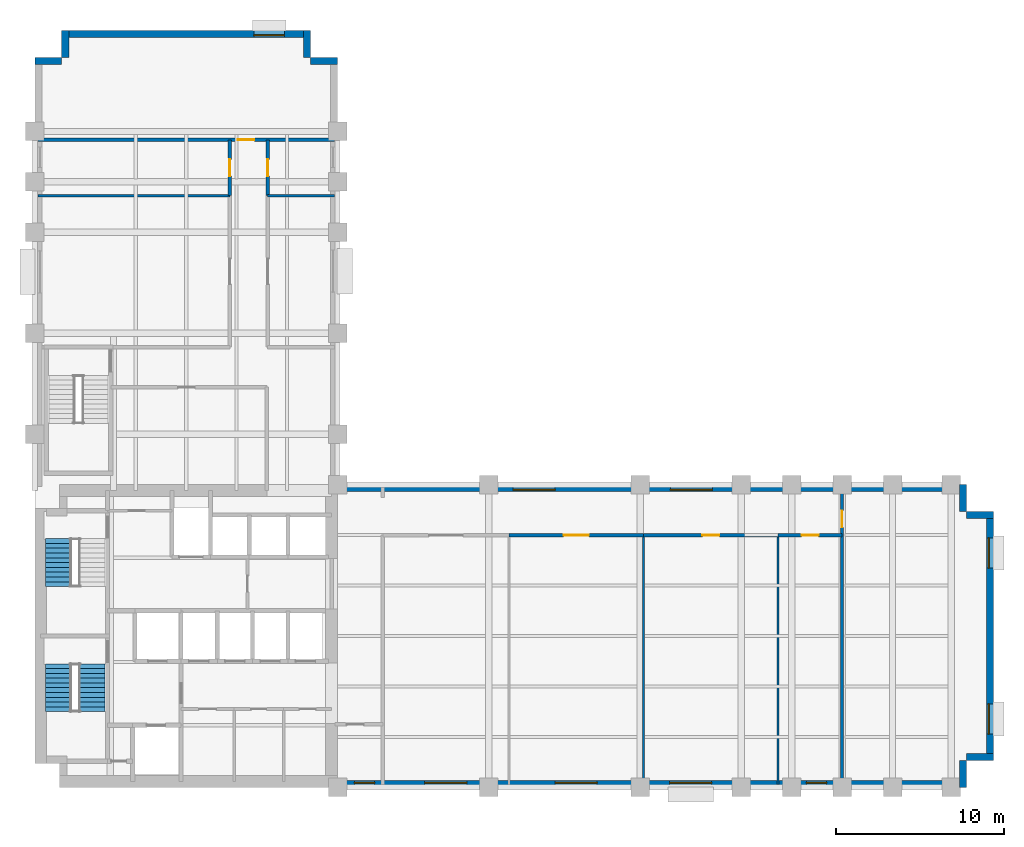
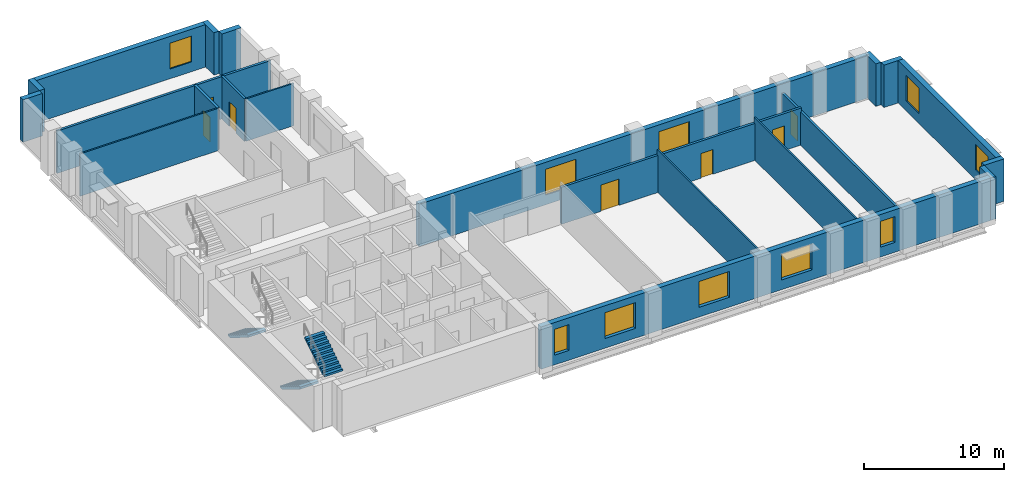
# One storey, part 5 of 8: 23 walls, 10 windows, 7 doors, 3 stair flights, 17 openings, 2 elements without a shape of their own.
"""IFC4 building model written with IfcOpenShell, lengths in metres."""

from ifc_helpers import new_model, si_unit, direction, frame, frame_2d, origin, place, context, subcontext, project, spatial, polyline, rectangle, outline, extrude, material, layer, layer_set, type_object, element, fill, aggregate, save


model = new_model("IFC4")

# Units and contexts
model_context = context("Model", 3, precision=1e-05, world=origin(), true_north=direction((0.0, 1.0)))
body_context = subcontext(model_context, "Body", "Model", "MODEL_VIEW")
ifc_project = project(units=[si_unit("LENGTHUNIT", "METRE"), si_unit("AREAUNIT", "SQUARE_METRE"), si_unit("VOLUMEUNIT", "CUBIC_METRE"), si_unit("PLANEANGLEUNIT", "RADIAN"), si_unit("MASSUNIT", "GRAM", prefix="KILO")], contexts=[model_context])

# Site, building, storey
site_placement = place(None, origin())
site = spatial("IfcSite", under=ifc_project, at=site_placement, CompositionType="ELEMENT")
building_placement = place(site_placement, origin())
building = spatial("IfcBuilding", under=site, at=building_placement, Name="Mawjdan Bourse Tower", CompositionType="ELEMENT")
storey_placement = place(building_placement, frame((0.0, 0.0, 97.199951171875)))
storey = spatial("IfcBuildingStorey", under=building, at=storey_placement, Name="L22", CompositionType="ELEMENT", Elevation=97.199951171875)

# Wall, openings, windows
ifc_material_1 = material(Name="Brick Masonry Buff", Category="masonry")
ifc_layer_1 = layer(ifc_material_1, 0.419921875)
ifc_layer_set_1 = layer_set([ifc_layer_1], Name="Brick Masonry Buff")
wall_type_1 = type_object("IfcWallType", Name="WL-BRK-BUFF-420", PredefinedType="STANDARD", material=ifc_layer_set_1)
wall_1_placement = place(storey_placement, frame((23.89990234375, 3.2099609375, 0.0), z_axis=(0.0, 0.0, 1.0), x_axis=(1.0, 0.0, 0.0)))
wall_1 = element("IfcWall", 1, at=wall_1_placement, inside=storey, type_object=wall_type_1, Name="L22 Exterior Brick Wall 1", PredefinedType="STANDARD", context=body_context, shape_type="SweptSolid", body=[
    extrude(rectangle(XDim=37.5, YDim=0.419921875, at=frame_2d((18.75, 0.0))), origin(), (0.0, 0.0, 1.0), 3.699951171875),
])
opening_1_placement = place(wall_1_placement, frame((19.84375, 0.0, 0.85009765625)))
opening_1 = element("IfcOpeningElement", 2, at=opening_1_placement, cuts=wall_1, Name="Opening W-L22-01", PredefinedType="OPENING", context=body_context, shape_type="SweptSolid", body=[
    extrude(rectangle(XDim=2.5, YDim=2.25, at=frame_2d((1.25, 1.125))), frame((0.0, 0.219970703125, 0.0), z_axis=(0.0, -1.0, 0.0), x_axis=(1.0, 0.0, 0.0)), (0.0, 0.0, 1.0), 0.43994140625),
])
opening_2_placement = place(wall_1_placement, frame((1.10009765625, 0.0, 0.85009765625)))
opening_2 = element("IfcOpeningElement", 3, at=opening_2_placement, cuts=wall_1, Name="Opening W-L22-09", PredefinedType="OPENING", context=body_context, shape_type="SweptSolid", body=[
    extrude(rectangle(XDim=1.199951171875, YDim=2.25, at=frame_2d((0.60009765625, 1.125))), frame((0.0, 0.219970703125, 0.0), z_axis=(0.0, -1.0, 0.0), x_axis=(1.0, 0.0, 0.0)), (0.0, 0.0, 1.0), 0.43994140625),
])
opening_3_placement = place(wall_1_placement, frame((5.2861328125, 0.0, 0.85009765625)))
opening_3 = element("IfcOpeningElement", 4, at=opening_3_placement, cuts=wall_1, Name="Opening W-L22-10", PredefinedType="OPENING", context=body_context, shape_type="SweptSolid", body=[
    extrude(rectangle(XDim=2.5, YDim=2.25, at=frame_2d((1.25, 1.125))), frame((0.0, 0.219970703125, 0.0), z_axis=(0.0, -1.0, 0.0), x_axis=(1.0, 0.0, 0.0)), (0.0, 0.0, 1.0), 0.43994140625),
])
opening_4_placement = place(wall_1_placement, frame((13.0361328125, 0.0, 0.85009765625)))
opening_4 = element("IfcOpeningElement", 5, at=opening_4_placement, cuts=wall_1, Name="Opening W-L22-11", PredefinedType="OPENING", context=body_context, shape_type="SweptSolid", body=[
    extrude(rectangle(XDim=2.5, YDim=2.25, at=frame_2d((1.25, 1.125))), frame((0.0, 0.219970703125, 0.0), z_axis=(0.0, -1.0, 0.0), x_axis=(1.0, 0.0, 0.0)), (0.0, 0.0, 1.0), 0.43994140625),
])
opening_5_placement = place(wall_1_placement, frame((27.986083984375, 0.0, 0.85009765625)))
opening_5 = element("IfcOpeningElement", 6, at=opening_5_placement, cuts=wall_1, Name="Opening W-L22-12", PredefinedType="OPENING", context=body_context, shape_type="SweptSolid", body=[
    extrude(rectangle(XDim=1.199951171875, YDim=2.25, at=frame_2d((0.60009765625, 1.125))), frame((0.0, 0.219970703125, 0.0), z_axis=(0.0, -1.0, 0.0), x_axis=(1.0, 0.0, 0.0)), (0.0, 0.0, 1.0), 0.43994140625),
])
ifc_material_2 = material(Name="Solar-Control Clear Double Glazing", Category="glass")
window_type_1 = type_object("IfcWindowType", Name="WN-Z2-1200", PartitioningType="SINGLE_PANEL", PredefinedType="WINDOW", material=ifc_material_2)
window_1_placement = place(opening_2_placement, origin())
window_1 = element("IfcWindow", 7, at=window_1_placement, inside=storey, type_object=window_type_1, Name="L22 Deep-Set Masonry Window W-L22-09", OverallHeight=2.25, OverallWidth=1.199951171875, PartitioningType="SINGLE_PANEL", PredefinedType="WINDOW", context=body_context, shape_type="SweptSolid", body=[
    extrude(rectangle(XDim=1.199951171875, YDim=2.25, at=frame_2d((0.60009765625, 1.125))), frame((0.0, 0.110107421875, 0.0), z_axis=(0.0, -1.0, 0.0), x_axis=(1.0, 0.0, 0.0)), (0.0, 0.0, 1.0), 0.06005859375),
])
fill(opening_2, window_1)
window_2_placement = place(opening_5_placement, origin())
window_2 = element("IfcWindow", 8, at=window_2_placement, inside=storey, type_object=window_type_1, Name="L22 Deep-Set Masonry Window W-L22-12", OverallHeight=2.25, OverallWidth=1.199951171875, PartitioningType="SINGLE_PANEL", PredefinedType="WINDOW", context=body_context, shape_type="SweptSolid", body=[
    extrude(rectangle(XDim=1.199951171875, YDim=2.25, at=frame_2d((0.60009765625, 1.125))), frame((0.0, 0.110107421875, 0.0), z_axis=(0.0, -1.0, 0.0), x_axis=(1.0, 0.0, 0.0)), (0.0, 0.0, 1.0), 0.06005859375),
])
fill(opening_5, window_2)
window_type_2 = type_object("IfcWindowType", Name="WN-Z2-2500", PartitioningType="SINGLE_PANEL", PredefinedType="WINDOW", material=ifc_material_2)
window_3_placement = place(opening_1_placement, origin())
window_3 = element("IfcWindow", 9, at=window_3_placement, inside=storey, type_object=window_type_2, Name="L22 Deep-Set Masonry Window W-L22-01", OverallHeight=2.25, OverallWidth=2.5, PartitioningType="SINGLE_PANEL", PredefinedType="WINDOW", context=body_context, shape_type="SweptSolid", body=[
    extrude(rectangle(XDim=2.5, YDim=2.25, at=frame_2d((1.25, 1.125))), frame((0.0, 0.110107421875, 0.0), z_axis=(0.0, -1.0, 0.0), x_axis=(1.0, 0.0, 0.0)), (0.0, 0.0, 1.0), 0.06005859375),
])
fill(opening_1, window_3)
window_4_placement = place(opening_3_placement, origin())
window_4 = element("IfcWindow", 10, at=window_4_placement, inside=storey, type_object=window_type_2, Name="L22 Deep-Set Masonry Window W-L22-10", OverallHeight=2.25, OverallWidth=2.5, PartitioningType="SINGLE_PANEL", PredefinedType="WINDOW", context=body_context, shape_type="SweptSolid", body=[
    extrude(rectangle(XDim=2.5, YDim=2.25, at=frame_2d((1.25, 1.125))), frame((0.0, 0.110107421875, 0.0), z_axis=(0.0, -1.0, 0.0), x_axis=(1.0, 0.0, 0.0)), (0.0, 0.0, 1.0), 0.06005859375),
])
fill(opening_3, window_4)
window_5_placement = place(opening_4_placement, origin())
window_5 = element("IfcWindow", 11, at=window_5_placement, inside=storey, type_object=window_type_2, Name="L22 Deep-Set Masonry Window W-L22-11", OverallHeight=2.25, OverallWidth=2.5, PartitioningType="SINGLE_PANEL", PredefinedType="WINDOW", context=body_context, shape_type="SweptSolid", body=[
    extrude(rectangle(XDim=2.5, YDim=2.25, at=frame_2d((1.25, 1.125))), frame((0.0, 0.110107421875, 0.0), z_axis=(0.0, -1.0, 0.0), x_axis=(1.0, 0.0, 0.0)), (0.0, 0.0, 1.0), 0.06005859375),
])
fill(opening_4, window_5)

# Walls
for number, where, z_axis, x_axis, name in (
    (12, (61.18994140625, 3.0, 0.0), (0.0, 0.0, 1.0), (0.0, 1.0, 0.0), "L22 Exterior Brick Wall 2"),
    (13, (61.39990234375, 4.81005859375, 0.0), (0.0, 0.0, 1.0), (1.0, 0.0, 0.0), "L22 Exterior Brick Wall 3"),
):
    element("IfcWall", number, at=place(storey_placement, frame(where, z_axis=z_axis, x_axis=x_axis)), inside=storey, type_object=wall_type_1, Name=name, PredefinedType="STANDARD", context=body_context, shape_type="SweptSolid", body=[
        extrude(rectangle(XDim=1.60009765625, YDim=0.419921875, at=frame_2d((0.800048828125, 0.0))), origin(), (0.0, 0.0, 1.0), 3.699951171875),
    ])

# Wall, openings, windows
wall_2_placement = place(storey_placement, frame((62.7900390625, 4.60009765625, 0.0), z_axis=(0.0, 0.0, 1.0), x_axis=(0.0, 1.0, 0.0)))
wall_2 = element("IfcWall", 14, at=wall_2_placement, inside=storey, type_object=wall_type_1, Name="L22 Exterior Brick Wall 4", PredefinedType="STANDARD", context=body_context, shape_type="SweptSolid", body=[
    extrude(rectangle(XDim=14.7998046875, YDim=0.419921875, at=frame_2d((7.39990234375, 0.0))), origin(), (0.0, 0.0, 1.0), 3.699951171875),
])
opening_6_placement = place(wall_2_placement, frame((1.566650390625, 0.0, 0.85009765625)))
opening_6 = element("IfcOpeningElement", 15, at=opening_6_placement, cuts=wall_2, Name="Opening W-L22-02", PredefinedType="OPENING", context=body_context, shape_type="SweptSolid", body=[
    extrude(rectangle(XDim=1.800048828125, YDim=2.25, at=frame_2d((0.89990234375, 1.125))), frame((0.0, 0.219970703125, 0.0), z_axis=(0.0, -1.0, 0.0), x_axis=(1.0, 0.0, 0.0)), (0.0, 0.0, 1.0), 0.43994140625),
])
opening_7_placement = place(wall_2_placement, frame((11.433349609375, 0.0, 0.85009765625)))
opening_7 = element("IfcOpeningElement", 16, at=opening_7_placement, cuts=wall_2, Name="Opening W-L22-03", PredefinedType="OPENING", context=body_context, shape_type="SweptSolid", body=[
    extrude(rectangle(XDim=1.800048828125, YDim=2.25, at=frame_2d((0.89990234375, 1.125))), frame((0.0, 0.219970703125, 0.0), z_axis=(0.0, -1.0, 0.0), x_axis=(1.0, 0.0, 0.0)), (0.0, 0.0, 1.0), 0.43994140625),
])
window_type_3 = type_object("IfcWindowType", Name="WN-Z2-1800", PartitioningType="SINGLE_PANEL", PredefinedType="WINDOW", material=ifc_material_2)
window_6_placement = place(opening_6_placement, origin())
window_6 = element("IfcWindow", 17, at=window_6_placement, inside=storey, type_object=window_type_3, Name="L22 Deep-Set Masonry Window W-L22-02", OverallHeight=2.25, OverallWidth=1.800048828125, PartitioningType="SINGLE_PANEL", PredefinedType="WINDOW", context=body_context, shape_type="SweptSolid", body=[
    extrude(rectangle(XDim=1.800048828125, YDim=2.25, at=frame_2d((0.89990234375, 1.125))), frame((0.0, 0.110107421875, 0.0), z_axis=(0.0, -1.0, 0.0), x_axis=(1.0, 0.0, 0.0)), (0.0, 0.0, 1.0), 0.06005859375),
])
fill(opening_6, window_6)
window_7_placement = place(opening_7_placement, origin())
window_7 = element("IfcWindow", 18, at=window_7_placement, inside=storey, type_object=window_type_3, Name="L22 Deep-Set Masonry Window W-L22-03", OverallHeight=2.25, OverallWidth=1.800048828125, PartitioningType="SINGLE_PANEL", PredefinedType="WINDOW", context=body_context, shape_type="SweptSolid", body=[
    extrude(rectangle(XDim=1.800048828125, YDim=2.25, at=frame_2d((0.89990234375, 1.125))), frame((0.0, 0.110107421875, 0.0), z_axis=(0.0, -1.0, 0.0), x_axis=(1.0, 0.0, 0.0)), (0.0, 0.0, 1.0), 0.06005859375),
])
fill(opening_7, window_7)

# Walls
for number, where, z_axis, x_axis, name in (
    (19, (63.0, 19.18994140625, 0.0), (0.0, 0.0, 1.0), (-1.0, 0.0, 0.0), "L22 Exterior Brick Wall 5"),
    (20, (61.18994140625, 19.39990234375, 0.0), (0.0, 0.0, 1.0), (0.0, 1.0, 0.0), "L22 Exterior Brick Wall 6"),
):
    element("IfcWall", number, at=place(storey_placement, frame(where, z_axis=z_axis, x_axis=x_axis)), inside=storey, type_object=wall_type_1, Name=name, PredefinedType="STANDARD", context=body_context, shape_type="SweptSolid", body=[
        extrude(rectangle(XDim=1.60009765625, YDim=0.419921875, at=frame_2d((0.800048828125, 0.0))), origin(), (0.0, 0.0, 1.0), 3.699951171875),
    ])

# Wall, openings, windows
wall_3_placement = place(storey_placement, frame((61.39990234375, 20.7900390625, 0.0), z_axis=(0.0, 0.0, 1.0), x_axis=(-1.0, 0.0, 0.0)))
wall_3 = element("IfcWall", 21, at=wall_3_placement, inside=storey, type_object=wall_type_1, Name="L22 Exterior Brick Wall 7", PredefinedType="STANDARD", context=body_context, shape_type="SweptSolid", body=[
    extrude(rectangle(XDim=37.39990234375, YDim=0.419921875, at=frame_2d((18.699951171875, 0.0))), origin(), (0.0, 0.0, 1.0), 3.699951171875),
])
opening_8_placement = place(wall_3_placement, frame((15.112548828125, 0.0, 0.85009765625)))
opening_8 = element("IfcOpeningElement", 22, at=opening_8_placement, cuts=wall_3, Name="Opening W-L22-04", PredefinedType="OPENING", context=body_context, shape_type="SweptSolid", body=[
    extrude(rectangle(XDim=2.5, YDim=2.25, at=frame_2d((1.25, 1.125))), frame((0.0, 0.219970703125, 0.0), z_axis=(0.0, -1.0, 0.0), x_axis=(1.0, 0.0, 0.0)), (0.0, 0.0, 1.0), 0.43994140625),
])
opening_9_placement = place(wall_3_placement, frame((24.46240234375, 0.0, 0.85009765625)))
opening_9 = element("IfcOpeningElement", 23, at=opening_9_placement, cuts=wall_3, Name="Opening W-L22-05", PredefinedType="OPENING", context=body_context, shape_type="SweptSolid", body=[
    extrude(rectangle(XDim=2.5, YDim=2.25, at=frame_2d((1.25, 1.125))), frame((0.0, 0.219970703125, 0.0), z_axis=(0.0, -1.0, 0.0), x_axis=(1.0, 0.0, 0.0)), (0.0, 0.0, 1.0), 0.43994140625),
])
window_8_placement = place(opening_8_placement, origin())
window_8 = element("IfcWindow", 24, at=window_8_placement, inside=storey, type_object=window_type_2, Name="L22 Deep-Set Masonry Window W-L22-04", OverallHeight=2.25, OverallWidth=2.5, PartitioningType="SINGLE_PANEL", PredefinedType="WINDOW", context=body_context, shape_type="SweptSolid", body=[
    extrude(rectangle(XDim=2.5, YDim=2.25, at=frame_2d((1.25, 1.125))), frame((0.0, 0.110107421875, 0.0), z_axis=(0.0, -1.0, 0.0), x_axis=(1.0, 0.0, 0.0)), (0.0, 0.0, 1.0), 0.06005859375),
])
fill(opening_8, window_8)
window_9_placement = place(opening_9_placement, origin())
window_9 = element("IfcWindow", 25, at=window_9_placement, inside=storey, type_object=window_type_2, Name="L22 Deep-Set Masonry Window W-L22-05", OverallHeight=2.25, OverallWidth=2.5, PartitioningType="SINGLE_PANEL", PredefinedType="WINDOW", context=body_context, shape_type="SweptSolid", body=[
    extrude(rectangle(XDim=2.5, YDim=2.25, at=frame_2d((1.25, 1.125))), frame((0.0, 0.110107421875, 0.0), z_axis=(0.0, -1.0, 0.0), x_axis=(1.0, 0.0, 0.0)), (0.0, 0.0, 1.0), 0.06005859375),
])
fill(opening_9, window_9)

# Walls
for number, where, z_axis, x_axis, name in (
    (26, (24.0, 46.18994140625, 0.0), (0.0, 0.0, 1.0), (-1.0, 0.0, 0.0), "L22 Exterior Brick Wall 9"),
    (27, (22.18994140625, 46.39990234375, 0.0), (0.0, 0.0, 1.0), (0.0, 1.0, 0.0), "L22 Exterior Brick Wall 10"),
):
    element("IfcWall", number, at=place(storey_placement, frame(where, z_axis=z_axis, x_axis=x_axis)), inside=storey, type_object=wall_type_1, Name=name, PredefinedType="STANDARD", context=body_context, shape_type="SweptSolid", body=[
        extrude(rectangle(XDim=1.60009765625, YDim=0.419921875, at=frame_2d((0.800048828125, 0.0))), origin(), (0.0, 0.0, 1.0), 3.699951171875),
    ])

# Wall, opening, window
wall_4_placement = place(storey_placement, frame((22.39990234375, 47.7900390625, 0.0), z_axis=(0.0, 0.0, 1.0), x_axis=(-1.0, 0.0, 0.0)))
wall_4 = element("IfcWall", 28, at=wall_4_placement, inside=storey, type_object=wall_type_1, Name="L22 Exterior Brick Wall 11", PredefinedType="STANDARD", context=body_context, shape_type="SweptSolid", body=[
    extrude(rectangle(XDim=14.7998046875, YDim=0.419921875, at=frame_2d((7.39990234375, 0.0))), origin(), (0.0, 0.0, 1.0), 3.699951171875),
])
opening_10_placement = place(wall_4_placement, frame((1.566650390625, 0.0, 0.85009765625)))
opening_10 = element("IfcOpeningElement", 29, at=opening_10_placement, cuts=wall_4, Name="Opening W-L22-07", PredefinedType="OPENING", context=body_context, shape_type="SweptSolid", body=[
    extrude(rectangle(XDim=1.800048828125, YDim=2.25, at=frame_2d((0.89990234375, 1.125))), frame((0.0, 0.219970703125, 0.0), z_axis=(0.0, -1.0, 0.0), x_axis=(1.0, 0.0, 0.0)), (0.0, 0.0, 1.0), 0.43994140625),
])
window_10_placement = place(opening_10_placement, origin())
window_10 = element("IfcWindow", 30, at=window_10_placement, inside=storey, type_object=window_type_3, Name="L22 Deep-Set Masonry Window W-L22-07", OverallHeight=2.25, OverallWidth=1.800048828125, PartitioningType="SINGLE_PANEL", PredefinedType="WINDOW", context=body_context, shape_type="SweptSolid", body=[
    extrude(rectangle(XDim=1.800048828125, YDim=2.25, at=frame_2d((0.89990234375, 1.125))), frame((0.0, 0.110107421875, 0.0), z_axis=(0.0, -1.0, 0.0), x_axis=(1.0, 0.0, 0.0)), (0.0, 0.0, 1.0), 0.06005859375),
])
fill(opening_10, window_10)

# Walls
for number, where, z_axis, x_axis, name in (
    (31, (7.81005859375, 48.0, 0.0), (0.0, 0.0, 1.0), (0.0, -1.0, 0.0), "L22 Exterior Brick Wall 12"),
    (32, (7.60009765625, 46.18994140625, 0.0), (0.0, 0.0, 1.0), (-1.0, 0.0, 0.0), "L22 Exterior Brick Wall 13"),
):
    element("IfcWall", number, at=place(storey_placement, frame(where, z_axis=z_axis, x_axis=x_axis)), inside=storey, type_object=wall_type_1, Name=name, PredefinedType="STANDARD", context=body_context, shape_type="SweptSolid", body=[
        extrude(rectangle(XDim=1.60009765625, YDim=0.419921875, at=frame_2d((0.800048828125, 0.0))), origin(), (0.0, 0.0, 1.0), 3.699951171875),
    ])

# Wall, opening, door
ifc_material_3 = material(Name="Gypsum Fireboard Assembly")
ifc_layer_2 = layer(ifc_material_3, 0.199951171875)
ifc_layer_set_2 = layer_set([ifc_layer_2], Name="Gypsum Fireboard Assembly")
wall_type_2 = type_object("IfcWallType", Name="WL-CMP-200", PredefinedType="PARTITIONING", material=ifc_layer_set_2)
wall_5_placement = place(storey_placement, frame((34.199951171875, 18.0, 0.0), z_axis=(0.0, 0.0, 1.0), x_axis=(1.0, 0.0, 0.0)))
wall_5 = element("IfcWall", 33, at=wall_5_placement, inside=storey, type_object=wall_type_2, Name="L22 Conference Room Corridor Wall", PredefinedType="PARTITIONING", context=body_context, shape_type="SweptSolid", body=[
    extrude(rectangle(XDim=8.0, YDim=0.199951171875, at=frame_2d((4.0, 0.0))), origin(), (0.0, 0.0, 1.0), 3.22705078125),
])
opening_11_placement = place(wall_5_placement, frame((3.25, 0.0, 0.0)))
opening_11 = element("IfcOpeningElement", 34, at=opening_11_placement, cuts=wall_5, Name="Opening D-L22-22", PredefinedType="OPENING", context=body_context, shape_type="SweptSolid", body=[
    extrude(rectangle(XDim=1.5, YDim=2.300048828125, at=frame_2d((0.75, 1.14990234375))), frame((0.0, 0.10986328125, 0.0), z_axis=(0.0, -1.0, 0.0), x_axis=(1.0, 0.0, 0.0)), (0.0, 0.0, 1.0), 0.219970703125),
])
ifc_material_4 = material(Name="Acoustic Glazed Timber", Category="wood")
door_type_1 = type_object("IfcDoorType", Name="DR-CNF-1500", OperationType="DOUBLE_DOOR_SINGLE_SWING", PredefinedType="DOOR", material=ifc_material_4)
door_1_placement = place(opening_11_placement, origin())
door_1 = element("IfcDoor", 35, at=door_1_placement, inside=storey, type_object=door_type_1, Name="L22 Conference Room Door D-L22-22", OperationType="DOUBLE_DOOR_SINGLE_SWING", OverallHeight=2.300048828125, OverallWidth=1.5, PredefinedType="DOOR", context=body_context, shape_type="SweptSolid", body=[
    extrude(rectangle(XDim=1.5, YDim=2.300048828125, at=frame_2d((0.75, 1.14990234375))), frame((0.0, 0.02490234375, 0.0), z_axis=(0.0, -1.0, 0.0), x_axis=(1.0, 0.0, 0.0)), (0.0, 0.0, 1.0), 0.050048828125),
])
fill(opening_11, door_1)

wall_6_placement = place(storey_placement, frame((42.199951171875, 18.0, 0.0), z_axis=(0.0, 0.0, 1.0), x_axis=(1.0, 0.0, 0.0)))
wall_6 = element("IfcWall", 36, at=wall_6_placement, inside=storey, type_object=wall_type_2, Name="L22 Executive Office Corridor Wall", PredefinedType="PARTITIONING", context=body_context, shape_type="SweptSolid", body=[
    extrude(rectangle(XDim=8.0, YDim=0.199951171875, at=frame_2d((4.0, 0.0))), origin(), (0.0, 0.0, 1.0), 3.22705078125),
])
opening_12_placement = place(wall_6_placement, frame((3.5, 0.0, 0.0)))
opening_12 = element("IfcOpeningElement", 37, at=opening_12_placement, cuts=wall_6, Name="Opening D-L22-23", PredefinedType="OPENING", context=body_context, shape_type="SweptSolid", body=[
    extrude(rectangle(XDim=1.0, YDim=2.14990234375, at=frame_2d((0.5, 1.074951171875))), frame((0.0, 0.10986328125, 0.0), z_axis=(0.0, -1.0, 0.0), x_axis=(1.0, 0.0, 0.0)), (0.0, 0.0, 1.0), 0.219970703125),
])
ifc_material_5 = material(Name="Hardwood Acoustic Leaf", Category="wood")
door_type_2 = type_object("IfcDoorType", Name="DR-OFC-1000", OperationType="NOTDEFINED", PredefinedType="DOOR", material=ifc_material_5)
door_2_placement = place(opening_12_placement, origin())
door_2 = element("IfcDoor", 38, at=door_2_placement, inside=storey, type_object=door_type_2, Name="L22 Executive Office Door D-L22-23", OperationType="SINGLE_SWING_RIGHT", OverallHeight=2.14990234375, OverallWidth=1.0, PredefinedType="DOOR", context=body_context, shape_type="SweptSolid", body=[
    extrude(rectangle(XDim=1.0, YDim=2.14990234375, at=frame_2d((0.5, 1.074951171875))), frame((0.0, 0.02490234375, 0.0), z_axis=(0.0, -1.0, 0.0), x_axis=(1.0, 0.0, 0.0)), (0.0, 0.0, 1.0), 0.050048828125),
])
fill(opening_12, door_2)

wall_7_placement = place(storey_placement, frame((50.199951171875, 18.0, 0.0), z_axis=(0.0, 0.0, 1.0), x_axis=(1.0, 0.0, 0.0)))
wall_7 = element("IfcWall", 39, at=wall_7_placement, inside=storey, type_object=wall_type_2, Name="L22 Private Banking Suite Corridor Wall", PredefinedType="PARTITIONING", context=body_context, shape_type="SweptSolid", body=[
    extrude(rectangle(XDim=3.800048828125, YDim=0.199951171875, at=frame_2d((1.89990234375, 0.0))), origin(), (0.0, 0.0, 1.0), 3.22705078125),
])
opening_13_placement = place(wall_7_placement, frame((1.39990234375, 0.0, 0.0)))
opening_13 = element("IfcOpeningElement", 40, at=opening_13_placement, cuts=wall_7, Name="Opening D-L22-24", PredefinedType="OPENING", context=body_context, shape_type="SweptSolid", body=[
    extrude(rectangle(XDim=1.0, YDim=2.14990234375, at=frame_2d((0.5, 1.074951171875))), frame((0.0, 0.10986328125, 0.0), z_axis=(0.0, -1.0, 0.0), x_axis=(1.0, 0.0, 0.0)), (0.0, 0.0, 1.0), 0.219970703125),
])
door_3_placement = place(opening_13_placement, origin())
door_3 = element("IfcDoor", 41, at=door_3_placement, inside=storey, type_object=door_type_2, Name="L22 Private Banking Suite Door D-L22-24", OperationType="SINGLE_SWING_LEFT", OverallHeight=2.14990234375, OverallWidth=1.0, PredefinedType="DOOR", context=body_context, shape_type="SweptSolid", body=[
    extrude(rectangle(XDim=1.0, YDim=2.14990234375, at=frame_2d((0.5, 1.074951171875))), frame((0.0, 0.02490234375, 0.0), z_axis=(0.0, -1.0, 0.0), x_axis=(1.0, 0.0, 0.0)), (0.0, 0.0, 1.0), 0.050048828125),
])
fill(opening_13, door_3)

wall_8_placement = place(storey_placement, frame((54.0, 3.179931640625, 0.0), z_axis=(0.0, 0.0, 1.0), x_axis=(0.0, 1.0, 0.0)))
wall_8 = element("IfcWall", 42, at=wall_8_placement, inside=storey, type_object=wall_type_2, Name="L22 East Tip Full Cross Wall", PredefinedType="PARTITIONING", context=body_context, shape_type="SweptSolid", body=[
    extrude(rectangle(XDim=17.64013671875, YDim=0.199951171875, at=frame_2d((8.820068359375, 0.0))), origin(), (0.0, 0.0, 1.0), 2.9169921875),
])
opening_14_placement = place(wall_8_placement, frame((15.27490234375, 0.0, 0.0)))
opening_14 = element("IfcOpeningElement", 43, at=opening_14_placement, cuts=wall_8, Name="Opening D-L22-25", PredefinedType="OPENING", context=body_context, shape_type="SweptSolid", body=[
    extrude(rectangle(XDim=1.0, YDim=2.14990234375, at=frame_2d((0.5, 1.074951171875))), frame((0.0, 0.10986328125, 0.0), z_axis=(0.0, -1.0, 0.0), x_axis=(1.0, 0.0, 0.0)), (0.0, 0.0, 1.0), 0.219970703125),
])
door_4_placement = place(opening_14_placement, origin())
door_4 = element("IfcDoor", 44, at=door_4_placement, inside=storey, type_object=door_type_2, Name="L22 East Tip Hall Door D-L22-25", OperationType="SINGLE_SWING_RIGHT", OverallHeight=2.14990234375, OverallWidth=1.0, PredefinedType="DOOR", context=body_context, shape_type="SweptSolid", body=[
    extrude(rectangle(XDim=1.0, YDim=2.14990234375, at=frame_2d((0.5, 1.074951171875))), frame((0.0, 0.02490234375, 0.0), z_axis=(0.0, -1.0, 0.0), x_axis=(1.0, 0.0, 0.0)), (0.0, 0.0, 1.0), 0.050048828125),
])
fill(opening_14, door_4)

wall_9_placement = place(storey_placement, frame((17.60009765625, 38.179931640625, 0.0), z_axis=(0.0, 0.0, 1.0), x_axis=(0.0, 1.0, 0.0)))
wall_9 = element("IfcWall", 45, at=wall_9_placement, inside=storey, type_object=wall_type_2, Name="L22 Executive Office Corridor Wall", PredefinedType="PARTITIONING", context=body_context, shape_type="SweptSolid", body=[
    extrude(rectangle(XDim=3.320068359375, YDim=0.199951171875, at=frame_2d((1.66015625, 0.0))), origin(), (0.0, 0.0, 1.0), 3.68994140625),
])
opening_15_placement = place(wall_9_placement, frame((1.159912109375, 0.0, 0.0)))
opening_15 = element("IfcOpeningElement", 46, at=opening_15_placement, cuts=wall_9, Name="Opening D-L22-28", PredefinedType="OPENING", context=body_context, shape_type="SweptSolid", body=[
    extrude(rectangle(XDim=1.0, YDim=2.14990234375, at=frame_2d((0.5, 1.074951171875))), frame((0.0, 0.10986328125, 0.0), z_axis=(0.0, -1.0, 0.0), x_axis=(1.0, 0.0, 0.0)), (0.0, 0.0, 1.0), 0.219970703125),
])
door_5_placement = place(opening_15_placement, origin())
door_5 = element("IfcDoor", 47, at=door_5_placement, inside=storey, type_object=door_type_2, Name="L22 Executive Office Door D-L22-28", OperationType="SINGLE_SWING_RIGHT", OverallHeight=2.14990234375, OverallWidth=1.0, PredefinedType="DOOR", context=body_context, shape_type="SweptSolid", body=[
    extrude(rectangle(XDim=1.0, YDim=2.14990234375, at=frame_2d((0.5, 1.074951171875))), frame((0.0, 0.02490234375, 0.0), z_axis=(0.0, -1.0, 0.0), x_axis=(1.0, 0.0, 0.0)), (0.0, 0.0, 1.0), 0.050048828125),
])
fill(opening_15, door_5)

wall_10_placement = place(storey_placement, frame((19.85009765625, 38.179931640625, 0.0), z_axis=(0.0, 0.0, 1.0), x_axis=(0.0, 1.0, 0.0)))
wall_10 = element("IfcWall", 48, at=wall_10_placement, inside=storey, type_object=wall_type_2, Name="L22 Client Reception Corridor Wall", PredefinedType="PARTITIONING", context=body_context, shape_type="SweptSolid", body=[
    extrude(rectangle(XDim=3.320068359375, YDim=0.199951171875, at=frame_2d((1.66015625, 0.0))), origin(), (0.0, 0.0, 1.0), 3.68994140625),
])
opening_16_placement = place(wall_10_placement, frame((1.159912109375, 0.0, 0.0)))
opening_16 = element("IfcOpeningElement", 49, at=opening_16_placement, cuts=wall_10, Name="Opening D-L22-30", PredefinedType="OPENING", context=body_context, shape_type="SweptSolid", body=[
    extrude(rectangle(XDim=1.0, YDim=2.14990234375, at=frame_2d((0.5, 1.074951171875))), frame((0.0, 0.10986328125, 0.0), z_axis=(0.0, -1.0, 0.0), x_axis=(1.0, 0.0, 0.0)), (0.0, 0.0, 1.0), 0.219970703125),
])
door_6_placement = place(opening_16_placement, origin())
door_6 = element("IfcDoor", 50, at=door_6_placement, inside=storey, type_object=door_type_2, Name="L22 Client Reception Door D-L22-30", OperationType="SINGLE_SWING_LEFT", OverallHeight=2.14990234375, OverallWidth=1.0, PredefinedType="DOOR", context=body_context, shape_type="SweptSolid", body=[
    extrude(rectangle(XDim=1.0, YDim=2.14990234375, at=frame_2d((0.5, 1.074951171875))), frame((0.0, 0.02490234375, 0.0), z_axis=(0.0, -1.0, 0.0), x_axis=(1.0, 0.0, 0.0)), (0.0, 0.0, 1.0), 0.050048828125),
])
fill(opening_16, door_6)

wall_11_placement = place(storey_placement, frame((6.179931640625, 41.5, 0.0), z_axis=(0.0, 0.0, 1.0), x_axis=(1.0, 0.0, 0.0)))
wall_11 = element("IfcWall", 51, at=wall_11_placement, inside=storey, type_object=wall_type_2, Name="L22 North Tip Full Cross Wall", PredefinedType="PARTITIONING", context=body_context, shape_type="SweptSolid", body=[
    extrude(rectangle(XDim=17.64013671875, YDim=0.199951171875, at=frame_2d((8.820068359375, 0.0))), origin(), (0.0, 0.0, 1.0), 3.68994140625),
])
opening_17_placement = place(wall_11_placement, frame((11.875, 0.0, 0.0)))
opening_17 = element("IfcOpeningElement", 52, at=opening_17_placement, cuts=wall_11, Name="Opening D-L22-31", PredefinedType="OPENING", context=body_context, shape_type="SweptSolid", body=[
    extrude(rectangle(XDim=1.0, YDim=2.14990234375, at=frame_2d((0.5, 1.074951171875))), frame((0.0, 0.10986328125, 0.0), z_axis=(0.0, -1.0, 0.0), x_axis=(1.0, 0.0, 0.0)), (0.0, 0.0, 1.0), 0.219970703125),
])
door_7_placement = place(opening_17_placement, origin())
door_7 = element("IfcDoor", 53, at=door_7_placement, inside=storey, type_object=door_type_2, Name="L22 North Tip Suite Door D-L22-31", OperationType="SINGLE_SWING_RIGHT", OverallHeight=2.14990234375, OverallWidth=1.0, PredefinedType="DOOR", context=body_context, shape_type="SweptSolid", body=[
    extrude(rectangle(XDim=1.0, YDim=2.14990234375, at=frame_2d((0.5, 1.074951171875))), frame((0.0, 0.02490234375, 0.0), z_axis=(0.0, -1.0, 0.0), x_axis=(1.0, 0.0, 0.0)), (0.0, 0.0, 1.0), 0.050048828125),
])
fill(opening_17, door_7)

# Walls
ifc_material_6 = material(Name="Gypsum Partition")
ifc_layer_3 = layer(ifc_material_6, 0.125)
ifc_layer_set_3 = layer_set([ifc_layer_3], Name="Gypsum Partition")
wall_type_3 = type_object("IfcWallType", Name="WL-PRT-125", PredefinedType="PARTITIONING", material=ifc_layer_set_3)
for number, where, z_axis, x_axis, name in (
    (54, (42.199951171875, 3.179931640625, 0.0), (0.0, 0.0, 1.0), (0.0, 1.0, 0.0), "L22 Executive Office Partition"),
    (55, (50.199951171875, 3.179931640625, 0.0), (0.0, 0.0, 1.0), (0.0, 1.0, 0.0), "L22 Private Banking Suite Partition"),
):
    element("IfcWall", number, at=place(storey_placement, frame(where, z_axis=z_axis, x_axis=x_axis)), inside=storey, type_object=wall_type_3, Name=name, PredefinedType="PARTITIONING", context=body_context, shape_type="SweptSolid", body=[
        extrude(rectangle(XDim=14.820068359375, YDim=0.125, at=frame_2d((7.41015625, 0.0))), origin(), (0.0, 0.0, 1.0), 3.68994140625),
    ])
wall_12_placement = place(storey_placement, frame((6.179931640625, 38.179931640625, 0.0), z_axis=(0.0, 0.0, 1.0), x_axis=(1.0, 0.0, 0.0)))
element("IfcWall", 56, at=wall_12_placement, inside=storey, type_object=wall_type_3, Name="L22 Executive Office Partition", PredefinedType="PARTITIONING", context=body_context, shape_type="SweptSolid", body=[
    extrude(rectangle(XDim=11.420166015625, YDim=0.125, at=frame_2d((5.7099609375, 0.0))), origin(), (0.0, 0.0, 1.0), 3.68994140625),
])
wall_13_placement = place(storey_placement, frame((19.85009765625, 38.179931640625, 0.0), z_axis=(0.0, 0.0, 1.0), x_axis=(1.0, 0.0, 0.0)))
element("IfcWall", 57, at=wall_13_placement, inside=storey, type_object=wall_type_3, Name="L22 Client Reception Partition", PredefinedType="PARTITIONING", context=body_context, shape_type="SweptSolid", body=[
    extrude(rectangle(XDim=3.969970703125, YDim=0.125, at=frame_2d((1.98486328125, 0.0))), origin(), (0.0, 0.0, 1.0), 3.68994140625),
])

# Stair, stair flights
ifc_material_7 = material(Name="Concrete C50/60", Category="concrete")
stair_type = type_object("IfcStairType", Name="STR-CORE-1500", PredefinedType="HALF_TURN_STAIR", material=ifc_material_7)
stair_1_placement = place(storey_placement, origin())
stair_1 = element("IfcStair", 58, at=stair_1_placement, inside=storey, type_object=stair_type, Name="L22 Exit Stair 1 (Core South-West)", PredefinedType="HALF_TURN_STAIR")
stair_flight_type = type_object("IfcStairFlightType", Name="SFL-RC-1500", PredefinedType="STRAIGHT", material=ifc_material_7)
stair_flight_1_placement = place(storey_placement, frame((7.389892578125, 10.35009765625, 0.0), z_axis=(0.0, 0.0, 1.0), x_axis=(0.0, -1.0, 0.0)))
stair_flight_1 = element("IfcStairFlight", 59, at=stair_flight_1_placement, type_object=stair_flight_type, Name="ST1-L22 flight 1", NumberOfRisers=11, NumberOfTreads=10, PredefinedType="STRAIGHT", RiserHeight=0.177273, TreadLength=0.285, context=body_context, shape_type="SweptSolid", body=[
    extrude(outline(polyline([(0.0, 0.0), (0.0, 0.17724609375), (0.284912109375, 0.17724609375), (0.284912109375, 0.3544921875), (0.570068359375, 0.3544921875), (0.570068359375, 0.53173828125), (0.85498046875, 0.53173828125), (0.85498046875, 0.708984375), (1.139892578125, 0.708984375), (1.139892578125, 0.886474609375), (1.425048828125, 0.886474609375), (1.425048828125, 1.063720703125), (1.7099609375, 1.063720703125), (1.7099609375, 1.240966796875), (1.9951171875, 1.240966796875), (1.9951171875, 1.418212890625), (2.280029296875, 1.418212890625), (2.280029296875, 1.595458984375), (2.56494140625, 1.595458984375), (2.56494140625, 1.772705078125), (2.85009765625, 1.772705078125), (2.85009765625, 1.949951171875), (2.85009765625, 1.58447265625), (0.302734375, 0.0), (0.0, 0.0)])), frame((0.0, 0.75, 0.0), z_axis=(0.0, -1.0, 0.0), x_axis=(1.0, 0.0, 0.0)), (0.0, 0.0, 1.0), 1.5),
])
stair_flight_2_placement = place(storey_placement, frame((9.409912109375, 7.5, 1.949951171875), z_axis=(0.0, 0.0, 1.0), x_axis=(0.0, 1.0, 0.0)))
stair_flight_2 = element("IfcStairFlight", 60, at=stair_flight_2_placement, type_object=stair_flight_type, Name="ST1-L22 flight 2", NumberOfRisers=11, NumberOfTreads=10, PredefinedType="STRAIGHT", RiserHeight=0.177273, TreadLength=0.285, context=body_context, shape_type="SweptSolid", body=[
    extrude(outline(polyline([(0.0, 0.0), (0.0, 0.17724609375), (0.284912109375, 0.17724609375), (0.284912109375, 0.3544921875), (0.570068359375, 0.3544921875), (0.570068359375, 0.53173828125), (0.85498046875, 0.53173828125), (0.85498046875, 0.708984375), (1.139892578125, 0.708984375), (1.139892578125, 0.886474609375), (1.425048828125, 0.886474609375), (1.425048828125, 1.063720703125), (1.7099609375, 1.063720703125), (1.7099609375, 1.240966796875), (1.9951171875, 1.240966796875), (1.9951171875, 1.418212890625), (2.280029296875, 1.418212890625), (2.280029296875, 1.595458984375), (2.56494140625, 1.595458984375), (2.56494140625, 1.772705078125), (2.85009765625, 1.772705078125), (2.85009765625, 1.949951171875), (2.85009765625, 1.58447265625), (0.302734375, 0.0), (0.0, 0.0)])), frame((0.0, 0.75, 0.0), z_axis=(0.0, -1.0, 0.0), x_axis=(1.0, 0.0, 0.0)), (0.0, 0.0, 1.0), 1.5),
])
aggregate(stair_1, [stair_flight_1, stair_flight_2])

# Stair, stair flight
stair_2_placement = place(storey_placement, origin())
stair_2 = element("IfcStair", 61, at=stair_2_placement, inside=storey, type_object=stair_type, Name="L22 Exit Stair 2 (Core North-West)", PredefinedType="HALF_TURN_STAIR")
stair_flight_3_placement = place(storey_placement, frame((7.389892578125, 17.7900390625, 0.0), z_axis=(0.0, 0.0, 1.0), x_axis=(0.0, -1.0, 0.0)))
stair_flight_3 = element("IfcStairFlight", 62, at=stair_flight_3_placement, type_object=stair_flight_type, Name="ST2-L22 flight 1", NumberOfRisers=11, NumberOfTreads=10, PredefinedType="STRAIGHT", RiserHeight=0.177273, TreadLength=0.285, context=body_context, shape_type="SweptSolid", body=[
    extrude(outline(polyline([(0.0, 0.0), (0.0, 0.17724609375), (0.284912109375, 0.17724609375), (0.284912109375, 0.3544921875), (0.570068359375, 0.3544921875), (0.570068359375, 0.53173828125), (0.85498046875, 0.53173828125), (0.85498046875, 0.708984375), (1.139892578125, 0.708984375), (1.139892578125, 0.886474609375), (1.425048828125, 0.886474609375), (1.425048828125, 1.063720703125), (1.7099609375, 1.063720703125), (1.7099609375, 1.240966796875), (1.9951171875, 1.240966796875), (1.9951171875, 1.418212890625), (2.280029296875, 1.418212890625), (2.280029296875, 1.595458984375), (2.56494140625, 1.595458984375), (2.56494140625, 1.772705078125), (2.85009765625, 1.772705078125), (2.85009765625, 1.949951171875), (2.85009765625, 1.58447265625), (0.302734375, 0.0), (0.0, 0.0)])), frame((0.0, 0.75, 0.0), z_axis=(0.0, -1.0, 0.0), x_axis=(1.0, 0.0, 0.0)), (0.0, 0.0, 1.0), 1.5),
])
aggregate(stair_2, [stair_flight_3])

save(model, "model.ifc")
